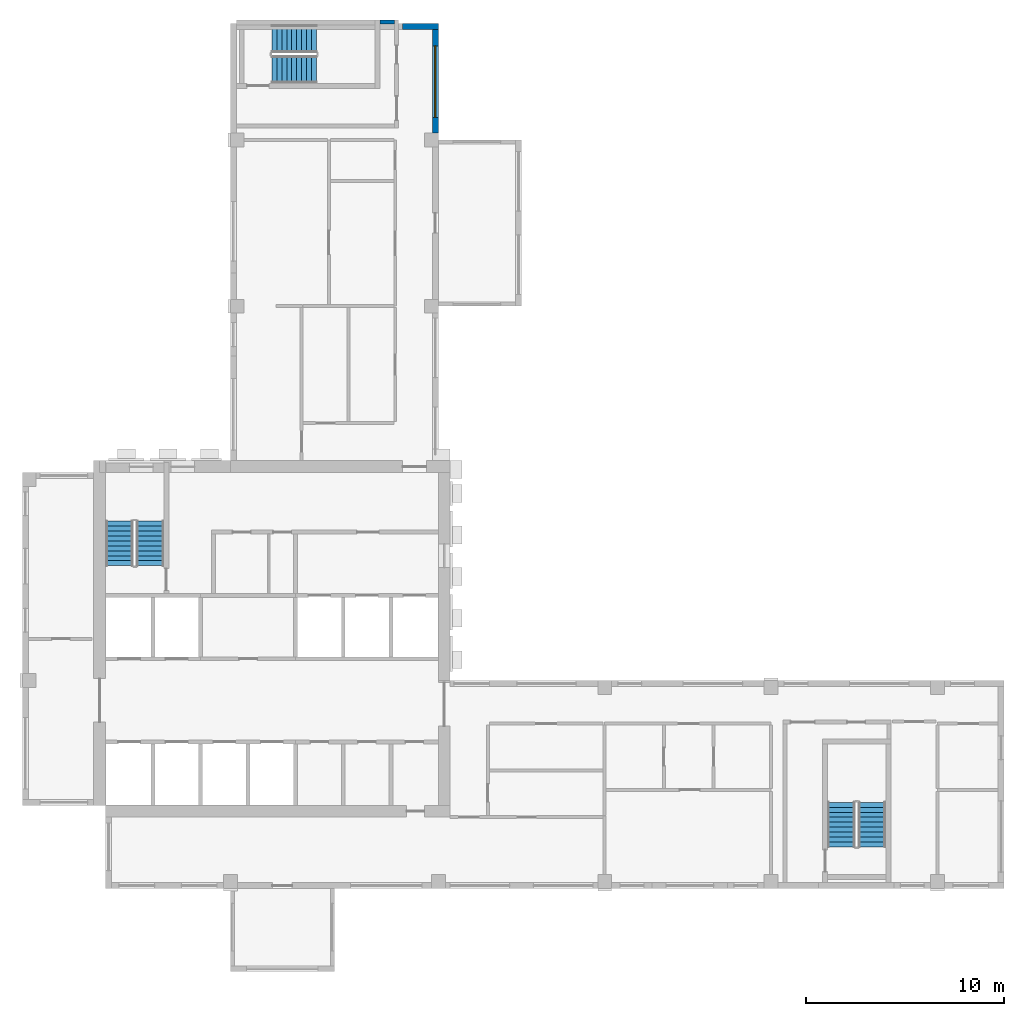
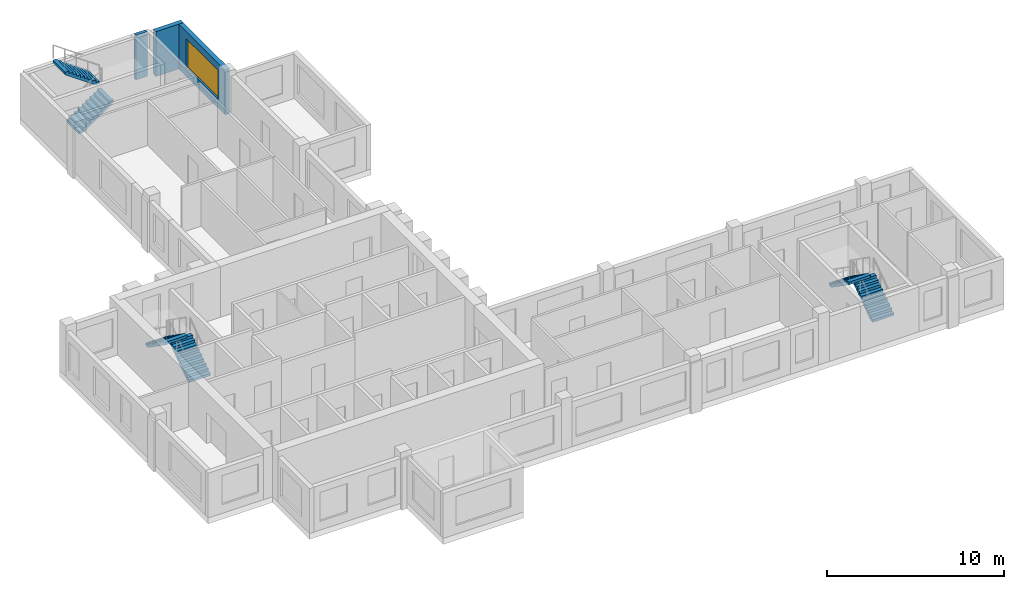
# One storey, part 6 of 10: 6 stair flights, 3 walls, 1 window, 1 opening, 3 elements without a shape of their own.
"""IFC4 building model written with IfcOpenShell, lengths in metres."""

from ifc_helpers import new_model, si_unit, direction, frame, frame_2d, origin, place, context, subcontext, project, spatial, polyline, rectangle, outline, extrude, source, transform, mapped, material, layer, layer_set, type_object, element, fill, aggregate, save


model = new_model("IFC4")

# Units and contexts
model_context = context("Model", 3, precision=1e-05, world=origin(), true_north=direction((0.0, 1.0)))
body_context = subcontext(model_context, "Body", "Model", "MODEL_VIEW")
ifc_project = project(units=[si_unit("LENGTHUNIT", "METRE"), si_unit("AREAUNIT", "SQUARE_METRE"), si_unit("VOLUMEUNIT", "CUBIC_METRE"), si_unit("PLANEANGLEUNIT", "RADIAN"), si_unit("MASSUNIT", "GRAM", prefix="KILO")], contexts=[model_context])

# Site, building, storey
site_placement = place(None, origin())
site = spatial("IfcSite", under=ifc_project, at=site_placement, CompositionType="ELEMENT")
building_placement = place(site_placement, origin())
building = spatial("IfcBuilding", under=site, at=building_placement, Name="Aurelian Terraces", CompositionType="ELEMENT")
storey_placement = place(building_placement, frame((0.0, 0.0, 288.0)))
storey = spatial("IfcBuildingStorey", under=building, at=storey_placement, Name="L65", CompositionType="ELEMENT", Elevation=288.0)

# Wall, opening, window
ifc_material_1 = material(Name="Terracotta rainscreen cladding", Category="masonry")
ifc_layer_1 = layer(ifc_material_1, 0.3)
ifc_layer_set_1 = layer_set([ifc_layer_1], Name="EW-300")
wall_type_1 = type_object("IfcWallType", Name="EW-300", PredefinedType="STANDARD", material=ifc_layer_set_1)
shared_shape_1 = source(origin(), body_context, "Body", "SweptSolid", [
    extrude(rectangle(XDim=5.53, YDim=0.3, at=frame_2d((2.765, 0.0))), origin(), (0.0, 0.0, 1.0), 3.1),
])
wall_1_placement = place(storey_placement, frame((20.85, 38.15, 0.0), z_axis=(0.0, 0.0, 1.0), x_axis=(0.0, 1.0, 0.0)))
wall_1 = element("IfcWall", 1, at=wall_1_placement, inside=storey, type_object=wall_type_1, Name="External wall L65 F04.12", PredefinedType="STANDARD", context=body_context, shape_type="MappedRepresentation", body=[
    mapped(shared_shape_1, transform((0.0, 0.0, 0.0), scale=1.0)),
])
shared_shape_2 = source(origin(), body_context, "Body", "SweptSolid", [
    extrude(rectangle(XDim=3.6, YDim=2.0, at=frame_2d((1.8, 1.0))), frame((0.0, 0.16, 0.0), z_axis=(0.0, -1.0, 0.0), x_axis=(1.0, 0.0, 0.0)), (0.0, 0.0, 1.0), 0.32),
])
opening_placement = place(wall_1_placement, frame((0.79, 0.0, 0.6)))
opening = element("IfcOpeningElement", 2, at=opening_placement, cuts=wall_1, Name="Opening W3620", PredefinedType="OPENING", context=body_context, shape_type="MappedRepresentation", body=[
    mapped(shared_shape_2, transform((0.0, 0.0, 0.0), scale=1.0)),
])
ifc_material_2 = material(Name="Clear glazing", Category="glass")
window_type = type_object("IfcWindowType", Name="W-3600x2000", PartitioningType="SINGLE_PANEL", PredefinedType="WINDOW", material=ifc_material_2)
shared_shape_3 = source(origin(), body_context, "Body", "SweptSolid", [
    extrude(rectangle(XDim=3.6, YDim=2.0, at=frame_2d((1.8, 1.0))), frame((0.0, 0.03, 0.0), z_axis=(0.0, -1.0, 0.0), x_axis=(1.0, 0.0, 0.0)), (0.0, 0.0, 1.0), 0.06),
])
window_placement = place(opening_placement, origin())
window = element("IfcWindow", 3, at=window_placement, inside=storey, type_object=window_type, Name="Window L65 L65-F04-12-0", OverallHeight=2.0, OverallWidth=3.6, PartitioningType="SINGLE_PANEL", PredefinedType="WINDOW", context=body_context, shape_type="MappedRepresentation", body=[
    mapped(shared_shape_3, transform((0.0, 0.0, 0.0), scale=1.0)),
])
fill(opening, window)

# Walls
shared_shape_4 = source(origin(), body_context, "Body", "SweptSolid", [
    extrude(rectangle(XDim=1.8, YDim=0.3, at=frame_2d((0.9, 0.0))), origin(), (0.0, 0.0, 1.0), 3.1),
])
wall_2_placement = place(storey_placement, frame((21.0, 43.53, 0.0), z_axis=(0.0, 0.0, 1.0), x_axis=(-1.0, 0.0, 0.0)))
element("IfcWall", 4, at=wall_2_placement, inside=storey, type_object=wall_type_1, Name="External wall L65 F05.13", PredefinedType="STANDARD", context=body_context, shape_type="MappedRepresentation", body=[
    mapped(shared_shape_4, transform((0.0, 0.0, 0.0), scale=1.0)),
])
ifc_material_3 = material(Name="Gypsum board on steel studs", Category="steel")
ifc_layer_2 = layer(ifc_material_3, 0.2)
ifc_layer_set_2 = layer_set([ifc_layer_2], Name="Core partition 200")
wall_type_2 = type_object("IfcWallType", Name="Core partition 200", PredefinedType="PARTITIONING", material=ifc_layer_set_2)
shared_shape_5 = source(origin(), body_context, "Body", "SweptSolid", [
    extrude(rectangle(XDim=0.75, YDim=0.2, at=frame_2d((0.375, 0.0))), origin(), (0.0, 0.0, 1.0), 3.1),
])
wall_3_placement = place(storey_placement, frame((18.05, 43.75, 0.0), z_axis=(0.0, 0.0, 1.0), x_axis=(1.0, 0.0, 0.0)))
element("IfcWall", 5, at=wall_3_placement, inside=storey, type_object=wall_type_2, Name="L65 core wall ST-S3U-RE", PredefinedType="PARTITIONING", context=body_context, shape_type="MappedRepresentation", body=[
    mapped(shared_shape_5, transform((0.0, 0.0, 0.0), scale=1.0)),
])

# Stair, stair flights
ifc_material_4 = material(Name="Concrete fc' 40 MPa", Category="concrete")
stair_type = type_object("IfcStairType", Name="Stair 1400", PredefinedType="HALF_TURN_STAIR", material=ifc_material_4)
stair_1_placement = place(storey_placement, origin())
stair_1 = element("IfcStair", 6, at=stair_1_placement, inside=storey, type_object=stair_type, Name="L65 S1", PredefinedType="HALF_TURN_STAIR")
stair_flight_type = type_object("IfcStairFlightType", Name="Stair flight 1400", PredefinedType="STRAIGHT", material=ifc_material_4)
shared_shape_6 = source(origin(), body_context, "Body", "SweptSolid", [
    extrude(outline(polyline([(0.0, 0.0), (0.0, 0.175), (0.25, 0.175), (0.25, 0.35), (0.5, 0.35), (0.5, 0.525), (0.75, 0.525), (0.75, 0.7), (1.0, 0.7), (1.0, 0.875), (1.25, 0.875), (1.25, 1.05), (1.5, 1.05), (1.5, 1.225), (1.75, 1.225), (1.75, 1.4), (2.0, 1.4), (2.0, 1.575), (2.25, 1.575), (2.25, 1.75), (2.25, 1.3919), (0.2616, 0.0), (0.0, 0.0)])), frame((0.0, 0.7, 0.0), z_axis=(0.0, -1.0, 0.0), x_axis=(1.0, 0.0, 0.0)), (0.0, 0.0, 1.0), 1.4),
])
stair_flight_1_placement = place(storey_placement, frame((6.45, 16.3, 2e-08), z_axis=(0.0, 0.0, 1.0), x_axis=(0.0, 1.0, 0.0)))
stair_flight_1 = element("IfcStairFlight", 7, at=stair_flight_1_placement, type_object=stair_flight_type, Name="S1 flight 1", NumberOfRisers=10, NumberOfTreads=9, PredefinedType="STRAIGHT", RiserHeight=0.175, TreadLength=0.25, context=body_context, shape_type="MappedRepresentation", body=[
    mapped(shared_shape_6, transform((0.0, 0.0, 0.0), scale=1.0)),
])
stair_flight_2_placement = place(storey_placement, frame((4.9, 18.55, 1.75000002), z_axis=(0.0, 0.0, 1.0), x_axis=(0.0, -1.0, 0.0)))
stair_flight_2 = element("IfcStairFlight", 8, at=stair_flight_2_placement, type_object=stair_flight_type, Name="S1 flight 2", NumberOfRisers=10, NumberOfTreads=9, PredefinedType="STRAIGHT", RiserHeight=0.175, TreadLength=0.25, context=body_context, shape_type="MappedRepresentation", body=[
    mapped(shared_shape_6, transform((0.0, 0.0, 0.0), scale=1.0)),
])
aggregate(stair_1, [stair_flight_1, stair_flight_2])

stair_2_placement = place(storey_placement, origin())
stair_2 = element("IfcStair", 9, at=stair_2_placement, inside=storey, type_object=stair_type, Name="L65 S2", PredefinedType="HALF_TURN_STAIR")
stair_flight_3_placement = place(storey_placement, frame((42.9, 2.1, 2e-08), z_axis=(0.0, 0.0, 1.0), x_axis=(0.0, 1.0, 0.0)))
stair_flight_3 = element("IfcStairFlight", 10, at=stair_flight_3_placement, type_object=stair_flight_type, Name="S2 flight 1", NumberOfRisers=10, NumberOfTreads=9, PredefinedType="STRAIGHT", RiserHeight=0.175, TreadLength=0.25, context=body_context, shape_type="MappedRepresentation", body=[
    mapped(shared_shape_6, transform((0.0, 0.0, 0.0), scale=1.0)),
])
stair_flight_4_placement = place(storey_placement, frame((41.35, 4.35, 1.75000002), z_axis=(0.0, 0.0, 1.0), x_axis=(0.0, -1.0, 0.0)))
stair_flight_4 = element("IfcStairFlight", 11, at=stair_flight_4_placement, type_object=stair_flight_type, Name="S2 flight 2", NumberOfRisers=10, NumberOfTreads=9, PredefinedType="STRAIGHT", RiserHeight=0.175, TreadLength=0.25, context=body_context, shape_type="MappedRepresentation", body=[
    mapped(shared_shape_6, transform((0.0, 0.0, 0.0), scale=1.0)),
])
aggregate(stair_2, [stair_flight_3, stair_flight_4])

stair_3_placement = place(storey_placement, origin())
stair_3 = element("IfcStair", 12, at=stair_3_placement, inside=storey, type_object=stair_type, Name="L65 S3U", PredefinedType="HALF_TURN_STAIR")
stair_flight_5_placement = place(storey_placement, frame((12.6, 41.35, 2e-08), z_axis=(0.0, 0.0, 1.0), x_axis=(1.0, 0.0, 0.0)))
stair_flight_5 = element("IfcStairFlight", 13, at=stair_flight_5_placement, type_object=stair_flight_type, Name="S3U flight 1", NumberOfRisers=10, NumberOfTreads=9, PredefinedType="STRAIGHT", RiserHeight=0.175, TreadLength=0.25, context=body_context, shape_type="MappedRepresentation", body=[
    mapped(shared_shape_6, transform((0.0, 0.0, 0.0), scale=1.0)),
])
stair_flight_6_placement = place(storey_placement, frame((14.85, 42.9, 1.75000002), z_axis=(0.0, 0.0, 1.0), x_axis=(-1.0, 0.0, 0.0)))
stair_flight_6 = element("IfcStairFlight", 14, at=stair_flight_6_placement, type_object=stair_flight_type, Name="S3U flight 2", NumberOfRisers=10, NumberOfTreads=9, PredefinedType="STRAIGHT", RiserHeight=0.175, TreadLength=0.25, context=body_context, shape_type="MappedRepresentation", body=[
    mapped(shared_shape_6, transform((0.0, 0.0, 0.0), scale=1.0)),
])
aggregate(stair_3, [stair_flight_5, stair_flight_6])

save(model, "model.ifc")
